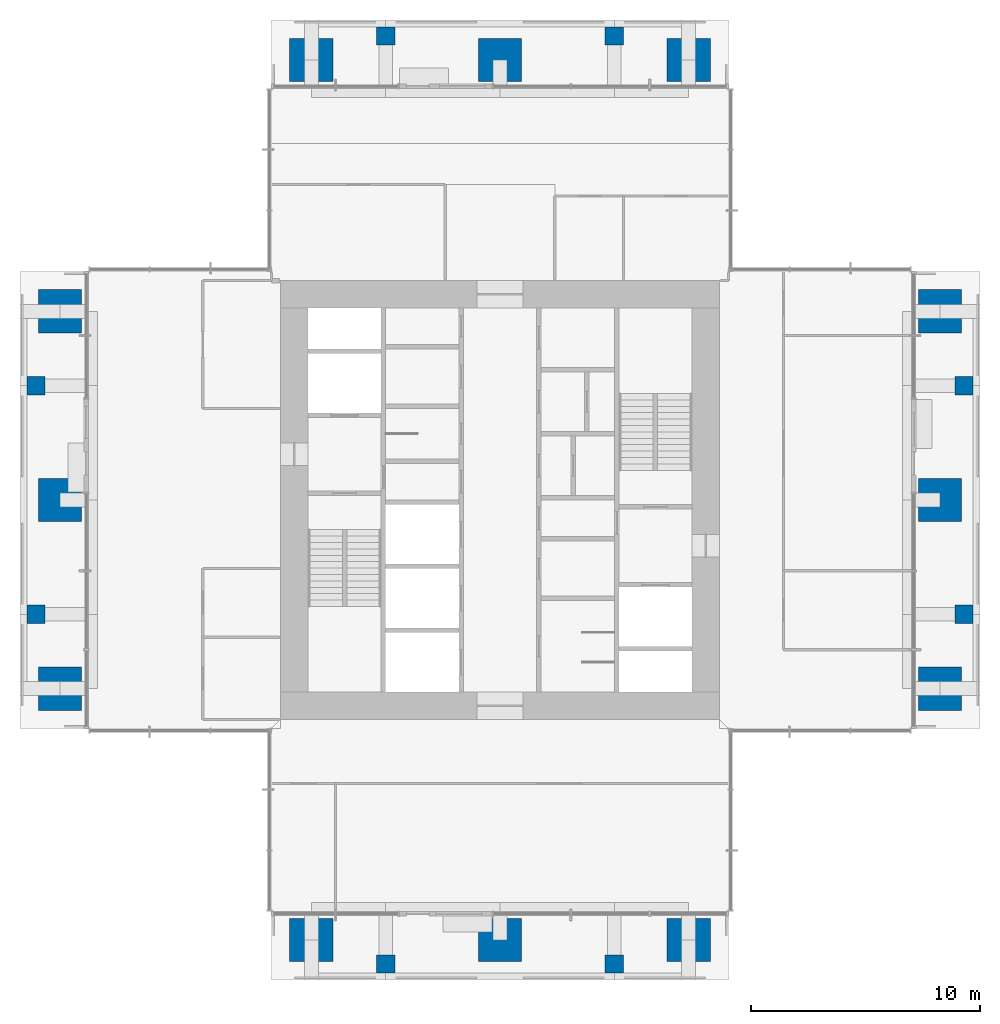
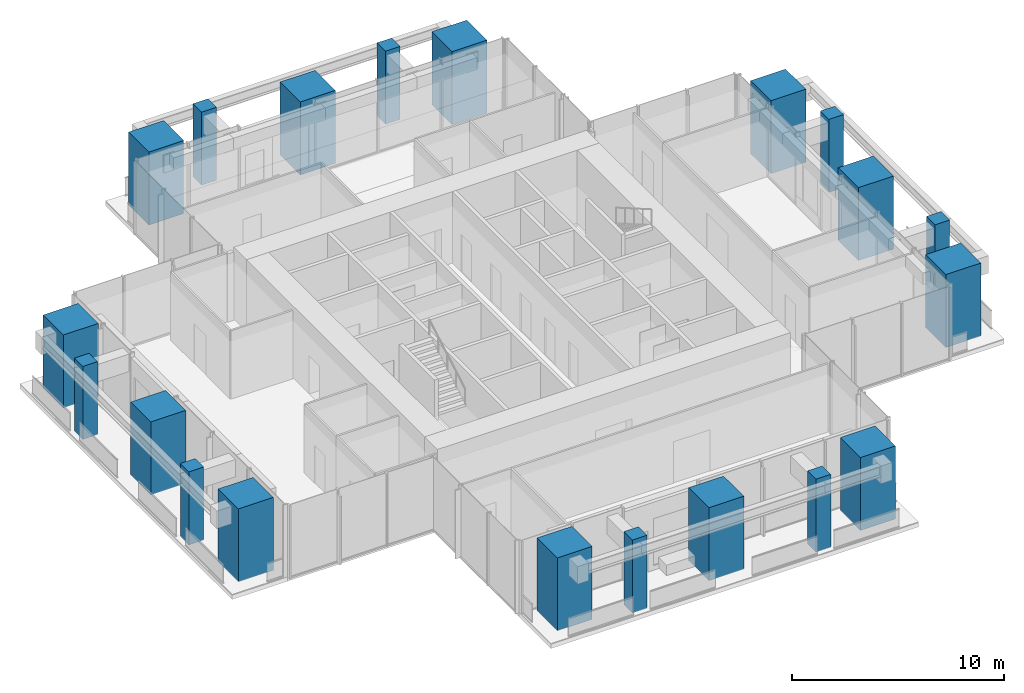
# One storey, part 1 of 12: 20 columns.
"""IFC4 building model written with IfcOpenShell, lengths in metres."""

from ifc_helpers import new_model, si_unit, direction, frame, origin, origin_2d, place, context, subcontext, project, spatial, rectangle, extrude, material, material_profile, profile_set, type_object, element, save


model = new_model("IFC4")

# Units and contexts
model_context = context("Model", 3, precision=1e-05, world=origin(), true_north=direction((0.0, 1.0)))
body_context = subcontext(model_context, "Body", "Model", "MODEL_VIEW")
ifc_project = project(units=[si_unit("LENGTHUNIT", "METRE"), si_unit("AREAUNIT", "SQUARE_METRE"), si_unit("VOLUMEUNIT", "CUBIC_METRE"), si_unit("PLANEANGLEUNIT", "RADIAN"), si_unit("MASSUNIT", "GRAM", prefix="KILO")], contexts=[model_context])

# Site, building, storey
site_placement = place(None, origin())
site = spatial("IfcSite", under=ifc_project, at=site_placement, CompositionType="ELEMENT")
building_placement = place(site_placement, origin())
building = spatial("IfcBuilding", under=site, at=building_placement, Name="Svetlomir Tower", CompositionType="ELEMENT")
storey_placement = place(building_placement, frame((0.0, 0.0, 265.0)))
storey = spatial("IfcBuildingStorey", under=building, at=storey_placement, Name="L63", CompositionType="ELEMENT", Elevation=265.0)

# Columns
ifc_material_1 = material(Name="Concrete C60/75", Category="concrete")
ifc_material_profile_1 = material_profile(ifc_material_1, rectangle(XDim=1.89990234375, YDim=1.89990234375, at=origin_2d()), Name="RC 1900x1900")
ifc_profile_set_1 = profile_set([ifc_material_profile_1], Name="Concrete C60/75")
column_type_1 = type_object("IfcColumnType", Name="COLUMN RC 1900x1900", PredefinedType="COLUMN", material=ifc_profile_set_1)
for number, where, z_axis, x_axis, name in (
    (1, (12.75, 1.75, 0.0), (0.0, 0.0, 1.0), (1.0, 0.0, 0.0), "Column 11/0 L63"),
    (2, (21.0, 1.75, 0.0), (0.0, 0.0, 1.0), (1.0, 0.0, 0.0), "Column 21/0 L63"),
    (3, (29.25, 1.75, 0.0), (0.0, 0.0, 1.0), (1.0, 0.0, 0.0), "Column 31/0 L63"),
    (4, (1.75, 12.75, 0.0), (0.0, 0.0, 1.0), (1.0, 0.0, 0.0), "Column 0/11 L63"),
    (5, (40.25, 12.75, 0.0), (0.0, 0.0, 1.0), (1.0, 0.0, 0.0), "Column 42/11 L63"),
    (6, (1.75, 21.0, 0.0), (0.0, 0.0, 1.0), (1.0, 0.0, 0.0), "Column 0/21 L63"),
    (7, (40.25, 21.0, 0.0), (0.0, 0.0, 1.0), (1.0, 0.0, 0.0), "Column 42/21 L63"),
    (8, (1.75, 29.25, 0.0), (0.0, 0.0, 1.0), (1.0, 0.0, 0.0), "Column 0/31 L63"),
    (9, (40.25, 29.25, 0.0), (0.0, 0.0, 1.0), (1.0, 0.0, 0.0), "Column 42/31 L63"),
    (10, (12.75, 40.25, 0.0), (0.0, 0.0, 1.0), (1.0, 0.0, 0.0), "Column 11/42 L63"),
    (11, (21.0, 40.25, 0.0), (0.0, 0.0, 1.0), (1.0, 0.0, 0.0), "Column 21/42 L63"),
    (12, (29.25, 40.25, 0.0), (0.0, 0.0, 1.0), (1.0, 0.0, 0.0), "Column 31/42 L63"),
):
    element("IfcColumn", number, at=place(storey_placement, frame(where, z_axis=z_axis, x_axis=x_axis)), inside=storey, type_object=column_type_1, Name=name, PredefinedType="COLUMN", context=body_context, shape_type="SweptSolid", body=[
        extrude(rectangle(XDim=1.89990234375, YDim=1.89990234375, at=origin_2d()), origin(), (0.0, 0.0, 1.0), 4.199951171875),
    ])
ifc_material_2 = material(Name="Concrete C60/75", Category="concrete")
ifc_material_profile_2 = material_profile(ifc_material_2, rectangle(XDim=0.800048828125, YDim=0.800048828125, at=origin_2d()), Name="RC 800x800")
ifc_profile_set_2 = profile_set([ifc_material_profile_2], Name="Concrete C60/75")
column_type_2 = type_object("IfcColumnType", Name="COLUMN RC 800x800", PredefinedType="COLUMN", material=ifc_profile_set_2)
for number, where, z_axis, x_axis, name in (
    (13, (16.0, 0.699951171875, 0.0), (0.0, 0.0, 1.0), (1.0, 0.0, 0.0), "Column 16/0 L63"),
    (14, (26.0, 0.699951171875, 0.0), (0.0, 0.0, 1.0), (1.0, 0.0, 0.0), "Column 26/0 L63"),
    (15, (0.699951171875, 16.0, 0.0), (0.0, 0.0, 1.0), (1.0, 0.0, 0.0), "Column 0/16 L63"),
    (16, (41.300048828125, 16.0, 0.0), (0.0, 0.0, 1.0), (1.0, 0.0, 0.0), "Column 42/16 L63"),
    (17, (0.699951171875, 26.0, 0.0), (0.0, 0.0, 1.0), (1.0, 0.0, 0.0), "Column 0/26 L63"),
    (18, (41.300048828125, 26.0, 0.0), (0.0, 0.0, 1.0), (1.0, 0.0, 0.0), "Column 42/26 L63"),
    (19, (16.0, 41.300048828125, 0.0), (0.0, 0.0, 1.0), (1.0, 0.0, 0.0), "Column 16/42 L63"),
    (20, (26.0, 41.300048828125, 0.0), (0.0, 0.0, 1.0), (1.0, 0.0, 0.0), "Column 26/42 L63"),
):
    element("IfcColumn", number, at=place(storey_placement, frame(where, z_axis=z_axis, x_axis=x_axis)), inside=storey, type_object=column_type_2, Name=name, PredefinedType="COLUMN", context=body_context, shape_type="SweptSolid", body=[
        extrude(rectangle(XDim=0.800048828125, YDim=0.800048828125, at=origin_2d()), origin(), (0.0, 0.0, 1.0), 4.199951171875),
    ])

save(model, "model.ifc")
